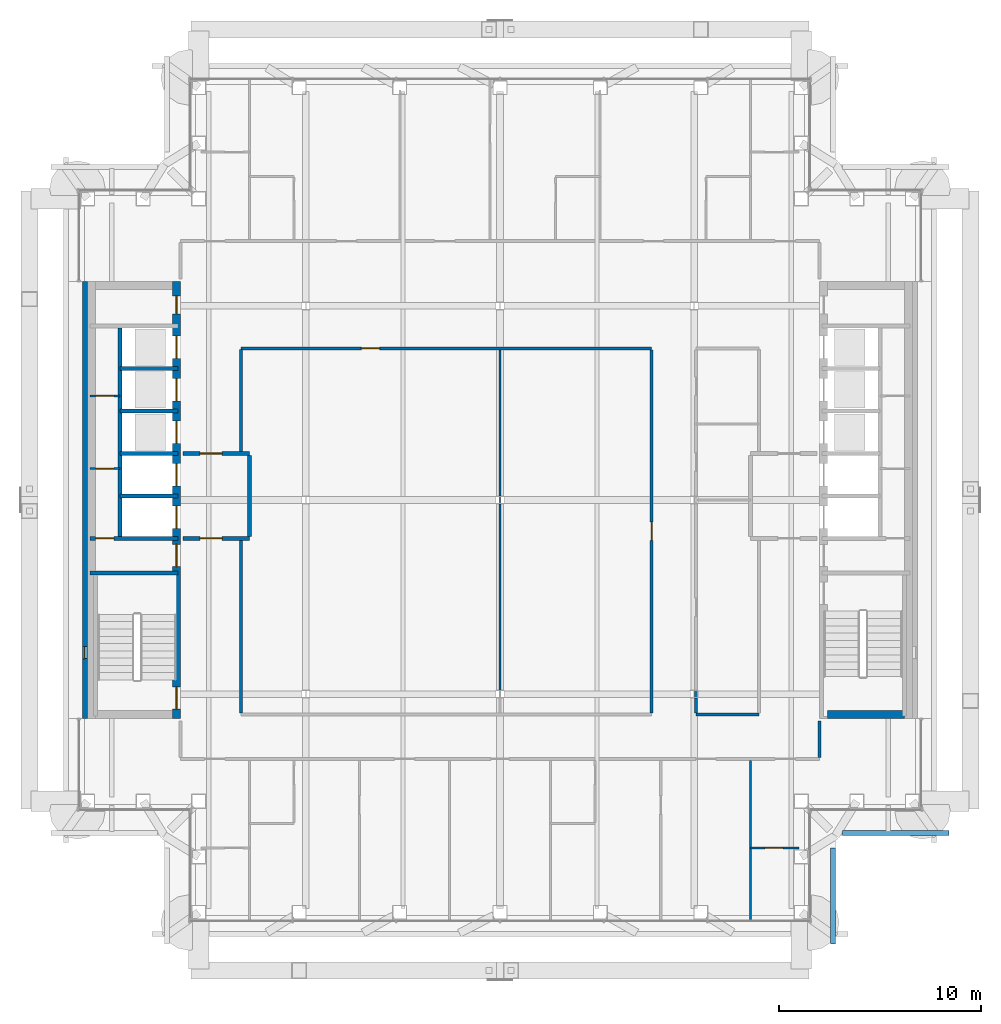
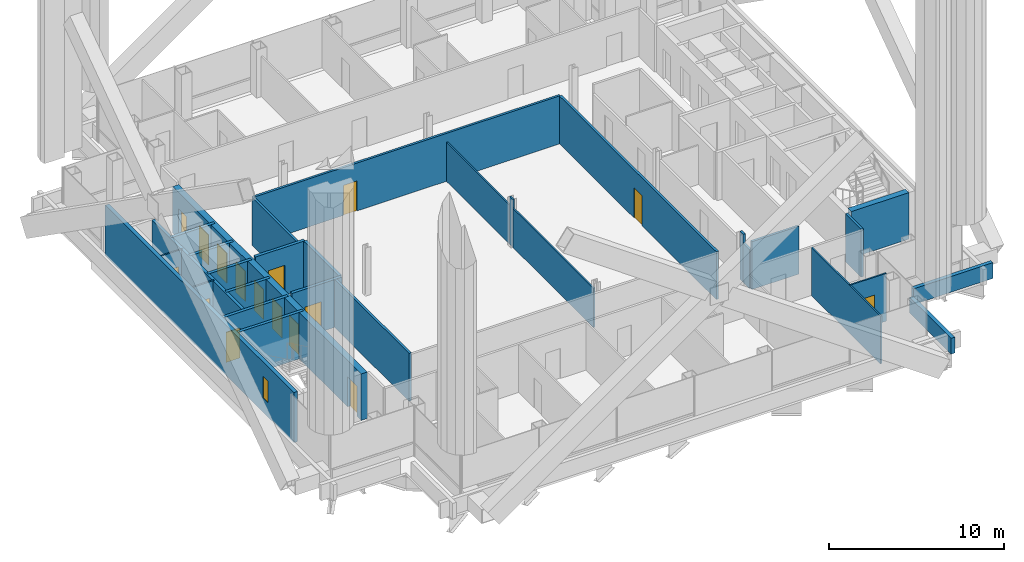
# One storey, part 14 of 22: 30 walls, 16 doors, 1 window, 17 openings.
"""IFC4 building model written with IfcOpenShell, lengths in metres."""

from ifc_helpers import new_model, si_unit, direction, frame, frame_2d, origin, place, context, subcontext, project, spatial, rectangle, extrude, material, layer, layer_set, type_object, element, fill, save


model = new_model("IFC4")

# Units and contexts
model_context = context("Model", 3, precision=1e-05, world=origin(), true_north=direction((0.0, 1.0)))
body_context = subcontext(model_context, "Body", "Model", "MODEL_VIEW")
ifc_project = project(units=[si_unit("LENGTHUNIT", "METRE"), si_unit("AREAUNIT", "SQUARE_METRE"), si_unit("VOLUMEUNIT", "CUBIC_METRE"), si_unit("PLANEANGLEUNIT", "RADIAN"), si_unit("MASSUNIT", "GRAM", prefix="KILO")], contexts=[model_context])

# Site, building, storey
site_placement = place(None, origin())
site = spatial("IfcSite", under=ifc_project, at=site_placement, CompositionType="ELEMENT")
building_placement = place(site_placement, origin())
building = spatial("IfcBuilding", under=site, at=building_placement, Name="Cobrizo Arcos Hotel Tower", CompositionType="ELEMENT")
storey_placement = place(building_placement, frame((0.0, 0.0, 191.0)))
storey = spatial("IfcBuildingStorey", under=building, at=storey_placement, Name="L49", CompositionType="ELEMENT", Elevation=191.0)

# Wall
ifc_material_1 = material(Name="Gypsum board partition")
ifc_layer_1 = layer(ifc_material_1, 0.14990234375)
ifc_layer_set_1 = layer_set([ifc_layer_1], Name="Corridor wall EI 60 150")
wall_type_1 = type_object("IfcWallType", Name="Corridor wall EI 60 150", PredefinedType="PARTITIONING", material=ifc_layer_set_1)
wall_1_placement = place(storey_placement, frame((9.699951171875, -10.60009765625, 0.0), z_axis=(0.0, 0.0, 1.0), x_axis=(1.0, 0.0, 0.0)))
element("IfcWall", 1, at=wall_1_placement, inside=storey, type_object=wall_type_1, Name="Partition 007", PredefinedType="PARTITIONING", context=body_context, shape_type="SweptSolid", body=[
    extrude(rectangle(XDim=3.10009765625, YDim=0.14990234375, at=frame_2d((1.550048828125, 0.0))), origin(), (0.0, 0.0, 1.0), 3.35009765625),
])

# Wall, opening, door
wall_2_placement = place(storey_placement, frame((-12.800048828125, 7.5, 0.0), z_axis=(0.0, 0.0, 1.0), x_axis=(1.0, 0.0, 0.0)))
wall_2 = element("IfcWall", 2, at=wall_2_placement, inside=storey, type_object=wall_type_1, Name="Partition 030", PredefinedType="PARTITIONING", context=body_context, shape_type="SweptSolid", body=[
    extrude(rectangle(XDim=20.300048828125, YDim=0.14990234375, at=frame_2d((10.14990234375, 0.0))), origin(), (0.0, 0.0, 1.0), 3.35009765625),
])
opening_1_placement = place(wall_2_placement, frame((5.949951171875, 0.0, 0.0)))
opening_1 = element("IfcOpeningElement", 3, at=opening_1_placement, cuts=wall_2, Name="Opening RD-15", PredefinedType="OPENING", context=body_context, shape_type="SweptSolid", body=[
    extrude(rectangle(XDim=0.89990234375, YDim=2.10009765625, at=frame_2d((0.449951171875, 1.050048828125))), frame((0.0, 0.0869140625, 0.0), z_axis=(0.0, -1.0, 0.0), x_axis=(1.0, 0.0, 0.0)), (0.0, 0.0, 1.0), 0.173828125),
])
ifc_material_2 = material(Name="Timber door leaf", Category="wood")
door_type_1 = type_object("IfcDoorType", Name="Room door FD30 900x2100", OperationType="SINGLE_SWING_LEFT", PredefinedType="DOOR", material=ifc_material_2)
door_1_placement = place(opening_1_placement, origin())
door_1 = element("IfcDoor", 4, at=door_1_placement, inside=storey, type_object=door_type_1, Name="Door RD-15", OperationType="SINGLE_SWING_RIGHT", OverallHeight=2.10009765625, OverallWidth=0.89990234375, PredefinedType="DOOR", context=body_context, shape_type="SweptSolid", body=[
    extrude(rectangle(XDim=0.89990234375, YDim=2.10009765625, at=frame_2d((0.449951171875, 1.050048828125))), frame((0.0, 0.02490234375, 0.0), z_axis=(0.0, -1.0, 0.0), x_axis=(1.0, 0.0, 0.0)), (0.0, 0.0, 1.0), 0.050048828125),
])
fill(opening_1, door_1)

# Walls
wall_3_placement = place(storey_placement, frame((-12.800048828125, -10.52490234375, 0.0), z_axis=(0.0, 0.0, 1.0), x_axis=(0.0, 1.0, 0.0)))
element("IfcWall", 5, at=wall_3_placement, inside=storey, type_object=wall_type_1, Name="Partition 044", PredefinedType="PARTITIONING", context=body_context, shape_type="SweptSolid", body=[
    extrude(rectangle(XDim=8.52490234375, YDim=0.14990234375, at=frame_2d((4.262451171875, 0.0))), origin(), (0.0, 0.0, 1.0), 3.35009765625),
])
wall_4_placement = place(storey_placement, frame((-12.800048828125, 2.39990234375, 0.0), z_axis=(0.0, 0.0, 1.0), x_axis=(0.0, 1.0, 0.0)))
element("IfcWall", 6, at=wall_4_placement, inside=storey, type_object=wall_type_1, Name="Partition 045", PredefinedType="PARTITIONING", context=body_context, shape_type="SweptSolid", body=[
    extrude(rectangle(XDim=5.050048828125, YDim=0.14990234375, at=frame_2d((2.52490234375, 0.0))), origin(), (0.0, 0.0, 1.0), 3.35009765625),
])

# Wall, opening, door
wall_5_placement = place(storey_placement, frame((7.5, -10.52490234375, 0.0), z_axis=(0.0, 0.0, 1.0), x_axis=(0.0, 1.0, 0.0)))
wall_5 = element("IfcWall", 7, at=wall_5_placement, inside=storey, type_object=wall_type_1, Name="Partition 064", PredefinedType="PARTITIONING", context=body_context, shape_type="SweptSolid", body=[
    extrude(rectangle(XDim=17.949951171875, YDim=0.14990234375, at=frame_2d((8.97509765625, 0.0))), origin(), (0.0, 0.0, 1.0), 3.35009765625),
])
opening_2_placement = place(wall_5_placement, frame((8.52490234375, 0.0, 0.0)))
opening_2 = element("IfcOpeningElement", 8, at=opening_2_placement, cuts=wall_5, Name="Opening RD-14", PredefinedType="OPENING", context=body_context, shape_type="SweptSolid", body=[
    extrude(rectangle(XDim=0.89990234375, YDim=2.10009765625, at=frame_2d((0.449951171875, 1.050048828125))), frame((0.0, 0.0869140625, 0.0), z_axis=(0.0, -1.0, 0.0), x_axis=(1.0, 0.0, 0.0)), (0.0, 0.0, 1.0), 0.173828125),
])
door_2_placement = place(opening_2_placement, origin())
door_2 = element("IfcDoor", 9, at=door_2_placement, inside=storey, type_object=door_type_1, Name="Door RD-14", OperationType="SINGLE_SWING_RIGHT", OverallHeight=2.10009765625, OverallWidth=0.89990234375, PredefinedType="DOOR", context=body_context, shape_type="SweptSolid", body=[
    extrude(rectangle(XDim=0.89990234375, YDim=2.10009765625, at=frame_2d((0.449951171875, 1.050048828125))), frame((0.0, 0.02490234375, 0.0), z_axis=(0.0, -1.0, 0.0), x_axis=(1.0, 0.0, 0.0)), (0.0, 0.0, 1.0), 0.050048828125),
])
fill(opening_2, door_2)

# Walls
wall_6_placement = place(storey_placement, frame((9.699951171875, -10.52490234375, 0.0), z_axis=(0.0, 0.0, 1.0), x_axis=(0.0, 1.0, 0.0)))
element("IfcWall", 10, at=wall_6_placement, inside=storey, type_object=wall_type_1, Name="Partition 066", PredefinedType="PARTITIONING", context=body_context, shape_type="SweptSolid", body=[
    extrude(rectangle(XDim=0.73779296875, YDim=0.14990234375, at=frame_2d((0.368896484375, 0.0))), origin(), (0.0, 0.0, 1.0), 2.72802734375),
])
wall_7_placement = place(storey_placement, frame((9.699951171875, -9.787109375, 0.0), z_axis=(0.0, 0.0, 1.0), x_axis=(0.0, 1.0, 0.0)))
element("IfcWall", 11, at=wall_7_placement, inside=storey, type_object=wall_type_1, Name="Partition 067", PredefinedType="PARTITIONING", context=body_context, shape_type="SweptSolid", body=[
    extrude(rectangle(XDim=0.3740234375, YDim=0.14990234375, at=frame_2d((0.18701171875, 0.0))), origin(), (0.0, 0.0, 1.0), 3.35009765625),
])
wall_8_placement = place(storey_placement, frame((15.800048828125, -12.72509765625, 0.0), z_axis=(0.0, 0.0, 1.0), x_axis=(0.0, 1.0, 0.0)))
element("IfcWall", 12, at=wall_8_placement, inside=storey, type_object=wall_type_1, Name="Partition 077", PredefinedType="PARTITIONING", context=body_context, shape_type="SweptSolid", body=[
    extrude(rectangle(XDim=1.80517578125, YDim=0.14990234375, at=frame_2d((0.902587890625, 0.0))), origin(), (0.0, 0.0, 1.0), 3.35009765625),
])

# Wall, opening, window
ifc_material_3 = material(Name="Aluminium composite panel pale metal", Category="aluminium")
ifc_layer_2 = layer(ifc_material_3, 0.25)
ifc_layer_set_2 = layer_set([ifc_layer_2], Name="EW-1 insulated panel wall 250")
wall_type_2 = type_object("IfcWallType", Name="EW-1 insulated panel wall 250", PredefinedType="SOLIDWALL", material=ifc_layer_set_2)
wall_9_placement = place(storey_placement, frame((-20.52490234375, 10.800048828125, 0.0), z_axis=(0.0, 0.0, 1.0), x_axis=(0.0, -1.0, 0.0)))
wall_9 = element("IfcWall", 13, at=wall_9_placement, inside=storey, type_object=wall_type_2, Name="Core face wall L49 W", PredefinedType="SOLIDWALL", context=body_context, shape_type="SweptSolid", body=[
    extrude(rectangle(XDim=21.60009765625, YDim=0.25, at=frame_2d((10.800048828125, 0.0))), origin(), (0.0, 0.0, 1.0), 3.5),
])
opening_3_placement = place(wall_9_placement, frame((18.050048828125, 0.0, 1.0)))
opening_3 = element("IfcOpeningElement", 14, at=opening_3_placement, cuts=wall_9, Name="Opening W-112", PredefinedType="OPENING", context=body_context, shape_type="SweptSolid", body=[
    extrude(rectangle(XDim=0.60009765625, YDim=1.5, at=frame_2d((0.300048828125, 0.75))), frame((0.0, 0.136962890625, 0.0), z_axis=(0.0, -1.0, 0.0), x_axis=(1.0, 0.0, 0.0)), (0.0, 0.0, 1.0), 0.27392578125),
])
ifc_material_4 = material(Name="Aluminium 6063-T6 and clear laminated glass", Category="aluminium")
window_type = type_object("IfcWindowType", Name="W-C1 core stair slot window 600x1500", PartitioningType="SINGLE_PANEL", PredefinedType="WINDOW", material=ifc_material_4)
window_placement = place(opening_3_placement, origin())
window = element("IfcWindow", 15, at=window_placement, inside=storey, type_object=window_type, Name="Core face wall L49 W window W-112", OverallHeight=1.5, OverallWidth=0.60009765625, PartitioningType="SINGLE_PANEL", PredefinedType="WINDOW", context=body_context, shape_type="SweptSolid", body=[
    extrude(rectangle(XDim=0.60009765625, YDim=1.5, at=frame_2d((0.300048828125, 0.75))), frame((0.0, -0.034912109375, 0.0), z_axis=(0.0, -1.0, 0.0), x_axis=(1.0, 0.0, 0.0)), (0.0, 0.0, 1.0), 0.06005859375),
])
fill(opening_3, window)

# Walls
ifc_layer_3 = layer(ifc_material_3, 0.25)
ifc_layer_set_3 = layer_set([ifc_layer_3], Name="PW-1 parapet wall")
wall_type_3 = type_object("IfcWallType", Name="PW-1 parapet wall", PredefinedType="PARAPET", material=ifc_layer_set_3)
wall_10_placement = place(storey_placement, frame((16.47509765625, -21.949951171875, 0.0), z_axis=(0.0, 0.0, 1.0), x_axis=(0.0, 1.0, 0.0)))
element("IfcWall", 16, at=wall_10_placement, inside=storey, type_object=wall_type_3, Name="Parapet L48 E", PredefinedType="PARAPET", context=body_context, shape_type="SweptSolid", body=[
    extrude(rectangle(XDim=4.75, YDim=0.25, at=frame_2d((2.375, 0.0))), origin(), (0.0, 0.0, 1.0), 1.10009765625),
])
wall_11_placement = place(storey_placement, frame((16.949951171875, -16.47509765625, 0.0), z_axis=(0.0, 0.0, 1.0), x_axis=(1.0, 0.0, 0.0)))
element("IfcWall", 17, at=wall_11_placement, inside=storey, type_object=wall_type_3, Name="Parapet L48 S", PredefinedType="PARAPET", context=body_context, shape_type="SweptSolid", body=[
    extrude(rectangle(XDim=5.25, YDim=0.25, at=frame_2d((2.625, 0.0))), origin(), (0.0, 0.0, 1.0), 1.10009765625),
])

# Wall, opening, door
ifc_layer_4 = layer(ifc_material_1, 0.10009765625)
ifc_layer_set_4 = layer_set([ifc_layer_4], Name="Partition EI 30 100")
wall_type_4 = type_object("IfcWallType", Name="Partition EI 30 100", PredefinedType="PARTITIONING", material=ifc_layer_set_4)
wall_12_placement = place(storey_placement, frame((12.39990234375, -17.199951171875, 0.0), z_axis=(0.0, 0.0, 1.0), x_axis=(1.0, 0.0, 0.0)))
wall_12 = element("IfcWall", 18, at=wall_12_placement, inside=storey, type_object=wall_type_4, Name="Partition 002", PredefinedType="PARTITIONING", context=body_context, shape_type="SweptSolid", body=[
    extrude(rectangle(XDim=2.380126953125, YDim=0.10009765625, at=frame_2d((1.18994140625, 0.0))), origin(), (0.0, 0.0, 1.0), 3.35009765625),
])
opening_4_placement = place(wall_12_placement, frame((0.705078125, 0.0, 0.0)))
opening_4 = element("IfcOpeningElement", 19, at=opening_4_placement, cuts=wall_12, Name="Opening ED-08", PredefinedType="OPENING", context=body_context, shape_type="SweptSolid", body=[
    extrude(rectangle(XDim=0.89990234375, YDim=2.10009765625, at=frame_2d((0.449951171875, 1.050048828125))), frame((0.0, 0.06201171875, 0.0), z_axis=(0.0, -1.0, 0.0), x_axis=(1.0, 0.0, 0.0)), (0.0, 0.0, 1.0), 0.1240234375),
])
door_type_2 = type_object("IfcDoorType", Name="En-suite door 900x2100", OperationType="SINGLE_SWING_LEFT", PredefinedType="DOOR", material=ifc_material_2)
door_3_placement = place(opening_4_placement, origin())
door_3 = element("IfcDoor", 20, at=door_3_placement, inside=storey, type_object=door_type_2, Name="Door ED-08", OperationType="SINGLE_SWING_RIGHT", OverallHeight=2.10009765625, OverallWidth=0.89990234375, PredefinedType="DOOR", context=body_context, shape_type="SweptSolid", body=[
    extrude(rectangle(XDim=0.89990234375, YDim=2.10009765625, at=frame_2d((0.449951171875, 1.050048828125))), frame((0.0, 0.02490234375, 0.0), z_axis=(0.0, -1.0, 0.0), x_axis=(1.0, 0.0, 0.0)), (0.0, 0.0, 1.0), 0.050048828125),
])
fill(opening_4, door_3)

wall_13_placement = place(storey_placement, frame((-20.280029296875, 1.550048828125, 0.0), z_axis=(0.0, 0.0, 1.0), x_axis=(1.0, 0.0, 0.0)))
wall_13 = element("IfcWall", 21, at=wall_13_placement, inside=storey, type_object=wall_type_4, Name="Partition 017", PredefinedType="PARTITIONING", context=body_context, shape_type="SweptSolid", body=[
    extrude(rectangle(XDim=1.47998046875, YDim=0.10009765625, at=frame_2d((0.739990234375, 0.0))), origin(), (0.0, 0.0, 1.0), 3.25),
])
opening_5_placement = place(wall_13_placement, frame((0.280029296875, 0.0, 0.0)))
opening_5 = element("IfcOpeningElement", 22, at=opening_5_placement, cuts=wall_13, Name="Opening RD-03", PredefinedType="OPENING", context=body_context, shape_type="SweptSolid", body=[
    extrude(rectangle(XDim=0.89990234375, YDim=2.10009765625, at=frame_2d((0.449951171875, 1.050048828125))), frame((0.0, 0.06201171875, 0.0), z_axis=(0.0, -1.0, 0.0), x_axis=(1.0, 0.0, 0.0)), (0.0, 0.0, 1.0), 0.1240234375),
])
door_4_placement = place(opening_5_placement, origin())
door_4 = element("IfcDoor", 23, at=door_4_placement, inside=storey, type_object=door_type_1, Name="Door RD-03", OperationType="SINGLE_SWING_LEFT", OverallHeight=2.10009765625, OverallWidth=0.89990234375, PredefinedType="DOOR", context=body_context, shape_type="SweptSolid", body=[
    extrude(rectangle(XDim=0.89990234375, YDim=2.10009765625, at=frame_2d((0.449951171875, 1.050048828125))), frame((0.0, 0.02490234375, 0.0), z_axis=(0.0, -1.0, 0.0), x_axis=(1.0, 0.0, 0.0)), (0.0, 0.0, 1.0), 0.050048828125),
])
fill(opening_5, door_4)

wall_14_placement = place(storey_placement, frame((-20.280029296875, 5.14990234375, 0.0), z_axis=(0.0, 0.0, 1.0), x_axis=(1.0, 0.0, 0.0)))
wall_14 = element("IfcWall", 24, at=wall_14_placement, inside=storey, type_object=wall_type_4, Name="Partition 026", PredefinedType="PARTITIONING", context=body_context, shape_type="SweptSolid", body=[
    extrude(rectangle(XDim=1.47998046875, YDim=0.10009765625, at=frame_2d((0.739990234375, 0.0))), origin(), (0.0, 0.0, 1.0), 3.25),
])
opening_6_placement = place(wall_14_placement, frame((0.280029296875, 0.0, 0.0)))
opening_6 = element("IfcOpeningElement", 25, at=opening_6_placement, cuts=wall_14, Name="Opening RD-04", PredefinedType="OPENING", context=body_context, shape_type="SweptSolid", body=[
    extrude(rectangle(XDim=0.89990234375, YDim=2.10009765625, at=frame_2d((0.449951171875, 1.050048828125))), frame((0.0, 0.06201171875, 0.0), z_axis=(0.0, -1.0, 0.0), x_axis=(1.0, 0.0, 0.0)), (0.0, 0.0, 1.0), 0.1240234375),
])
door_5_placement = place(opening_6_placement, origin())
door_5 = element("IfcDoor", 26, at=door_5_placement, inside=storey, type_object=door_type_1, Name="Door RD-04", OperationType="SINGLE_SWING_RIGHT", OverallHeight=2.10009765625, OverallWidth=0.89990234375, PredefinedType="DOOR", context=body_context, shape_type="SweptSolid", body=[
    extrude(rectangle(XDim=0.89990234375, YDim=2.10009765625, at=frame_2d((0.449951171875, 1.050048828125))), frame((0.0, 0.02490234375, 0.0), z_axis=(0.0, -1.0, 0.0), x_axis=(1.0, 0.0, 0.0)), (0.0, 0.0, 1.0), 0.050048828125),
])
fill(opening_6, door_5)

# Walls
wall_15_placement = place(storey_placement, frame((0.0, -9.4130859375, 0.0), z_axis=(0.0, 0.0, 1.0), x_axis=(0.0, 1.0, 0.0)))
element("IfcWall", 27, at=wall_15_placement, inside=storey, type_object=wall_type_4, Name="Partition 057", PredefinedType="PARTITIONING", context=body_context, shape_type="SweptSolid", body=[
    extrude(rectangle(XDim=9.22607421875, YDim=0.10009765625, at=frame_2d((4.613037109375, 0.0))), origin(), (0.0, 0.0, 1.0), 2.72802734375),
])
wall_16_placement = place(storey_placement, frame((0.0, -0.18701171875, 0.0), z_axis=(0.0, 0.0, 1.0), x_axis=(0.0, 1.0, 0.0)))
element("IfcWall", 28, at=wall_16_placement, inside=storey, type_object=wall_type_4, Name="Partition 058", PredefinedType="PARTITIONING", context=body_context, shape_type="SweptSolid", body=[
    extrude(rectangle(XDim=0.3740234375, YDim=0.10009765625, at=frame_2d((0.18701171875, 0.0))), origin(), (0.0, 0.0, 1.0), 3.35009765625),
])
wall_17_placement = place(storey_placement, frame((0.0, 0.18701171875, 0.0), z_axis=(0.0, 0.0, 1.0), x_axis=(0.0, 1.0, 0.0)))
element("IfcWall", 29, at=wall_17_placement, inside=storey, type_object=wall_type_4, Name="Partition 059", PredefinedType="PARTITIONING", context=body_context, shape_type="SweptSolid", body=[
    extrude(rectangle(XDim=7.238037109375, YDim=0.10009765625, at=frame_2d((3.619140625, 0.0))), origin(), (0.0, 0.0, 1.0), 2.72802734375),
])
wall_18_placement = place(storey_placement, frame((12.39990234375, -20.780029296875, 0.0), z_axis=(0.0, 0.0, 1.0), x_axis=(0.0, 1.0, 0.0)))
element("IfcWall", 30, at=wall_18_placement, inside=storey, type_object=wall_type_4, Name="Partition 072", PredefinedType="PARTITIONING", context=body_context, shape_type="SweptSolid", body=[
    extrude(rectangle(XDim=7.905029296875, YDim=0.10009765625, at=frame_2d((3.95263671875, 0.0))), origin(), (0.0, 0.0, 1.0), 3.35009765625),
])
ifc_material_5 = material(Name="Concrete f'c 40 MPa", Category="concrete")
ifc_layer_5 = layer(ifc_material_5, 0.39990234375)
ifc_layer_set_5 = layer_set([ifc_layer_5], Name="RC core wall 400 f'c 40")
wall_type_5 = type_object("IfcWallType", Name="RC core wall 400 f'c 40", PredefinedType="SHEAR", material=ifc_layer_set_5)
wall_19_placement = place(storey_placement, frame((16.199951171875, -10.60009765625, 0.0), z_axis=(0.0, 0.0, 1.0), x_axis=(1.0, 0.0, 0.0)))
element("IfcWall", 31, at=wall_19_placement, inside=storey, type_object=wall_type_5, Name="Core wall CW4, east core, south end, L49", PredefinedType="SHEAR", context=body_context, shape_type="SweptSolid", body=[
    extrude(rectangle(XDim=3.800048828125, YDim=0.39990234375, at=frame_2d((1.89990234375, 0.0))), origin(), (0.0, 0.0, 1.0), 3.25),
])

# Wall, openings, doors
wall_20_placement = place(storey_placement, frame((-16.0, -10.800048828125, 0.0), z_axis=(0.0, 0.0, 1.0), x_axis=(0.0, 1.0, 0.0)))
wall_20 = element("IfcWall", 32, at=wall_20_placement, inside=storey, type_object=wall_type_5, Name="Core wall CW4, west core, inner face, L49", PredefinedType="SHEAR", context=body_context, shape_type="SweptSolid", body=[
    extrude(rectangle(XDim=21.60009765625, YDim=0.39990234375, at=frame_2d((10.800048828125, 0.0))), origin(), (0.0, 0.0, 1.0), 3.25),
])
opening_7_placement = place(wall_20_placement, frame((9.39990234375, 0.0, 0.0)))
opening_7 = element("IfcOpeningElement", 33, at=opening_7_placement, cuts=wall_20, Name="Opening LD-01", PredefinedType="OPENING", context=body_context, shape_type="SweptSolid", body=[
    extrude(rectangle(XDim=1.10009765625, YDim=2.10009765625, at=frame_2d((0.550048828125, 1.050048828125))), frame((0.0, 0.2119140625, 0.0), z_axis=(0.0, -1.0, 0.0), x_axis=(1.0, 0.0, 0.0)), (0.0, 0.0, 1.0), 0.423828125),
])
opening_8_placement = place(wall_20_placement, frame((11.5, 0.0, 0.0)))
opening_8 = element("IfcOpeningElement", 34, at=opening_8_placement, cuts=wall_20, Name="Opening LD-02", PredefinedType="OPENING", context=body_context, shape_type="SweptSolid", body=[
    extrude(rectangle(XDim=1.10009765625, YDim=2.10009765625, at=frame_2d((0.550048828125, 1.050048828125))), frame((0.0, 0.2119140625, 0.0), z_axis=(0.0, -1.0, 0.0), x_axis=(1.0, 0.0, 0.0)), (0.0, 0.0, 1.0), 0.423828125),
])
opening_9_placement = place(wall_20_placement, frame((13.60009765625, 0.0, 0.0)))
opening_9 = element("IfcOpeningElement", 35, at=opening_9_placement, cuts=wall_20, Name="Opening LD-03", PredefinedType="OPENING", context=body_context, shape_type="SweptSolid", body=[
    extrude(rectangle(XDim=1.10009765625, YDim=2.10009765625, at=frame_2d((0.550048828125, 1.050048828125))), frame((0.0, 0.2119140625, 0.0), z_axis=(0.0, -1.0, 0.0), x_axis=(1.0, 0.0, 0.0)), (0.0, 0.0, 1.0), 0.423828125),
])
opening_10_placement = place(wall_20_placement, frame((15.699951171875, 0.0, 0.0)))
opening_10 = element("IfcOpeningElement", 36, at=opening_10_placement, cuts=wall_20, Name="Opening LD-04", PredefinedType="OPENING", context=body_context, shape_type="SweptSolid", body=[
    extrude(rectangle(XDim=1.10009765625, YDim=2.10009765625, at=frame_2d((0.550048828125, 1.050048828125))), frame((0.0, 0.2119140625, 0.0), z_axis=(0.0, -1.0, 0.0), x_axis=(1.0, 0.0, 0.0)), (0.0, 0.0, 1.0), 0.423828125),
])
opening_11_placement = place(wall_20_placement, frame((17.800048828125, 0.0, 0.0)))
opening_11 = element("IfcOpeningElement", 37, at=opening_11_placement, cuts=wall_20, Name="Opening LD-05", PredefinedType="OPENING", context=body_context, shape_type="SweptSolid", body=[
    extrude(rectangle(XDim=1.10009765625, YDim=2.10009765625, at=frame_2d((0.550048828125, 1.050048828125))), frame((0.0, 0.2119140625, 0.0), z_axis=(0.0, -1.0, 0.0), x_axis=(1.0, 0.0, 0.0)), (0.0, 0.0, 1.0), 0.423828125),
])
opening_12_placement = place(wall_20_placement, frame((0.4580078125, 0.0, 0.0)))
opening_12 = element("IfcOpeningElement", 38, at=opening_12_placement, cuts=wall_20, Name="Opening SD-01", PredefinedType="OPENING", context=body_context, shape_type="SweptSolid", body=[
    extrude(rectangle(XDim=1.10009765625, YDim=2.10009765625, at=frame_2d((0.550048828125, 1.050048828125))), frame((0.0, 0.2119140625, 0.0), z_axis=(0.0, -1.0, 0.0), x_axis=(1.0, 0.0, 0.0)), (0.0, 0.0, 1.0), 0.423828125),
])
opening_13_placement = place(wall_20_placement, frame((7.5, 0.0, 0.0)))
opening_13 = element("IfcOpeningElement", 39, at=opening_13_placement, cuts=wall_20, Name="Opening FD-01", PredefinedType="OPENING", context=body_context, shape_type="SweptSolid", body=[
    extrude(rectangle(XDim=1.10009765625, YDim=2.10009765625, at=frame_2d((0.550048828125, 1.050048828125))), frame((0.0, 0.2119140625, 0.0), z_axis=(0.0, -1.0, 0.0), x_axis=(1.0, 0.0, 0.0)), (0.0, 0.0, 1.0), 0.423828125),
])
opening_14_placement = place(wall_20_placement, frame((20.0, 0.0, 0.0)))
opening_14 = element("IfcOpeningElement", 40, at=opening_14_placement, cuts=wall_20, Name="Opening RD-01", PredefinedType="OPENING", context=body_context, shape_type="SweptSolid", body=[
    extrude(rectangle(XDim=0.89990234375, YDim=2.10009765625, at=frame_2d((0.449951171875, 1.050048828125))), frame((0.0, 0.2119140625, 0.0), z_axis=(0.0, -1.0, 0.0), x_axis=(1.0, 0.0, 0.0)), (0.0, 0.0, 1.0), 0.423828125),
])
ifc_material_6 = material(Name="Steel door leaf", Category="steel")
door_type_3 = type_object("IfcDoorType", Name="Fire door FD60 1100x2100", OperationType="SINGLE_SWING_LEFT", PredefinedType="DOOR", material=ifc_material_6)
door_6_placement = place(opening_13_placement, origin())
door_6 = element("IfcDoor", 41, at=door_6_placement, inside=storey, type_object=door_type_3, Name="Door FD-01", OperationType="SINGLE_SWING_RIGHT", OverallHeight=2.10009765625, OverallWidth=1.10009765625, PredefinedType="DOOR", context=body_context, shape_type="SweptSolid", body=[
    extrude(rectangle(XDim=1.10009765625, YDim=2.10009765625, at=frame_2d((0.550048828125, 1.050048828125))), frame((0.0, 0.02490234375, 0.0), z_axis=(0.0, -1.0, 0.0), x_axis=(1.0, 0.0, 0.0)), (0.0, 0.0, 1.0), 0.050048828125),
])
fill(opening_13, door_6)
door_type_4 = type_object("IfcDoorType", Name="Lift landing door 1100x2100", OperationType="SLIDING_TO_LEFT", PredefinedType="DOOR", material=ifc_material_6)
door_7_placement = place(opening_7_placement, origin())
door_7 = element("IfcDoor", 42, at=door_7_placement, inside=storey, type_object=door_type_4, Name="Lift landing door LD-01", OperationType="SLIDING_TO_LEFT", OverallHeight=2.10009765625, OverallWidth=1.10009765625, PredefinedType="DOOR", context=body_context, shape_type="SweptSolid", body=[
    extrude(rectangle(XDim=1.10009765625, YDim=2.10009765625, at=frame_2d((0.550048828125, 1.050048828125))), frame((0.0, 0.02490234375, 0.0), z_axis=(0.0, -1.0, 0.0), x_axis=(1.0, 0.0, 0.0)), (0.0, 0.0, 1.0), 0.050048828125),
])
fill(opening_7, door_7)
door_8_placement = place(opening_8_placement, origin())
door_8 = element("IfcDoor", 43, at=door_8_placement, inside=storey, type_object=door_type_4, Name="Lift landing door LD-02", OperationType="SLIDING_TO_LEFT", OverallHeight=2.10009765625, OverallWidth=1.10009765625, PredefinedType="DOOR", context=body_context, shape_type="SweptSolid", body=[
    extrude(rectangle(XDim=1.10009765625, YDim=2.10009765625, at=frame_2d((0.550048828125, 1.050048828125))), frame((0.0, 0.02490234375, 0.0), z_axis=(0.0, -1.0, 0.0), x_axis=(1.0, 0.0, 0.0)), (0.0, 0.0, 1.0), 0.050048828125),
])
fill(opening_8, door_8)
door_9_placement = place(opening_9_placement, origin())
door_9 = element("IfcDoor", 44, at=door_9_placement, inside=storey, type_object=door_type_4, Name="Lift landing door LD-03", OperationType="SLIDING_TO_LEFT", OverallHeight=2.10009765625, OverallWidth=1.10009765625, PredefinedType="DOOR", context=body_context, shape_type="SweptSolid", body=[
    extrude(rectangle(XDim=1.10009765625, YDim=2.10009765625, at=frame_2d((0.550048828125, 1.050048828125))), frame((0.0, 0.02490234375, 0.0), z_axis=(0.0, -1.0, 0.0), x_axis=(1.0, 0.0, 0.0)), (0.0, 0.0, 1.0), 0.050048828125),
])
fill(opening_9, door_9)
door_10_placement = place(opening_10_placement, origin())
door_10 = element("IfcDoor", 45, at=door_10_placement, inside=storey, type_object=door_type_4, Name="Lift landing door LD-04", OperationType="SLIDING_TO_LEFT", OverallHeight=2.10009765625, OverallWidth=1.10009765625, PredefinedType="DOOR", context=body_context, shape_type="SweptSolid", body=[
    extrude(rectangle(XDim=1.10009765625, YDim=2.10009765625, at=frame_2d((0.550048828125, 1.050048828125))), frame((0.0, 0.02490234375, 0.0), z_axis=(0.0, -1.0, 0.0), x_axis=(1.0, 0.0, 0.0)), (0.0, 0.0, 1.0), 0.050048828125),
])
fill(opening_10, door_10)
door_11_placement = place(opening_11_placement, origin())
door_11 = element("IfcDoor", 46, at=door_11_placement, inside=storey, type_object=door_type_4, Name="Lift landing door LD-05", OperationType="SLIDING_TO_LEFT", OverallHeight=2.10009765625, OverallWidth=1.10009765625, PredefinedType="DOOR", context=body_context, shape_type="SweptSolid", body=[
    extrude(rectangle(XDim=1.10009765625, YDim=2.10009765625, at=frame_2d((0.550048828125, 1.050048828125))), frame((0.0, 0.02490234375, 0.0), z_axis=(0.0, -1.0, 0.0), x_axis=(1.0, 0.0, 0.0)), (0.0, 0.0, 1.0), 0.050048828125),
])
fill(opening_11, door_11)
door_12_placement = place(opening_14_placement, origin())
door_12 = element("IfcDoor", 47, at=door_12_placement, inside=storey, type_object=door_type_1, Name="Door RD-01", OperationType="SINGLE_SWING_LEFT", OverallHeight=2.10009765625, OverallWidth=0.89990234375, PredefinedType="DOOR", context=body_context, shape_type="SweptSolid", body=[
    extrude(rectangle(XDim=0.89990234375, YDim=2.10009765625, at=frame_2d((0.449951171875, 1.050048828125))), frame((0.0, 0.02490234375, 0.0), z_axis=(0.0, -1.0, 0.0), x_axis=(1.0, 0.0, 0.0)), (0.0, 0.0, 1.0), 0.050048828125),
])
fill(opening_14, door_12)
door_type_5 = type_object("IfcDoorType", Name="Stair door FD60S 1100x2100", OperationType="SINGLE_SWING_LEFT", PredefinedType="DOOR", material=ifc_material_6)
door_13_placement = place(opening_12_placement, origin())
door_13 = element("IfcDoor", 48, at=door_13_placement, inside=storey, type_object=door_type_5, Name="Door SD-01", OperationType="SINGLE_SWING_LEFT", OverallHeight=2.10009765625, OverallWidth=1.10009765625, PredefinedType="DOOR", context=body_context, shape_type="SweptSolid", body=[
    extrude(rectangle(XDim=1.10009765625, YDim=2.10009765625, at=frame_2d((0.550048828125, 1.050048828125))), frame((0.0, 0.02490234375, 0.0), z_axis=(0.0, -1.0, 0.0), x_axis=(1.0, 0.0, 0.0)), (0.0, 0.0, 1.0), 0.050048828125),
])
fill(opening_12, door_13)

# Wall, opening, door
ifc_layer_6 = layer(ifc_material_1, 0.199951171875)
ifc_layer_set_6 = layer_set([ifc_layer_6], Name="Shaft wall EI 120 200")
wall_type_6 = type_object("IfcWallType", Name="Shaft wall EI 120 200", PredefinedType="PARTITIONING", material=ifc_layer_set_6)
wall_21_placement = place(storey_placement, frame((-20.280029296875, -1.89990234375, 0.0), z_axis=(0.0, 0.0, 1.0), x_axis=(1.0, 0.0, 0.0)))
wall_21 = element("IfcWall", 49, at=wall_21_placement, inside=storey, type_object=wall_type_6, Name="Partition 010", PredefinedType="PARTITIONING", context=body_context, shape_type="SweptSolid", body=[
    extrude(rectangle(XDim=4.360107421875, YDim=0.199951171875, at=frame_2d((2.18017578125, 0.0))), origin(), (0.0, 0.0, 1.0), 3.25),
])
opening_15_placement = place(wall_21_placement, frame((0.280029296875, 0.0, 0.0)))
opening_15 = element("IfcOpeningElement", 50, at=opening_15_placement, cuts=wall_21, Name="Opening RD-02", PredefinedType="OPENING", context=body_context, shape_type="SweptSolid", body=[
    extrude(rectangle(XDim=0.89990234375, YDim=2.10009765625, at=frame_2d((0.449951171875, 1.050048828125))), frame((0.0, 0.112060546875, 0.0), z_axis=(0.0, -1.0, 0.0), x_axis=(1.0, 0.0, 0.0)), (0.0, 0.0, 1.0), 0.223876953125),
])
door_14_placement = place(opening_15_placement, origin())
door_14 = element("IfcDoor", 51, at=door_14_placement, inside=storey, type_object=door_type_1, Name="Door RD-02", OperationType="SINGLE_SWING_RIGHT", OverallHeight=2.10009765625, OverallWidth=0.89990234375, PredefinedType="DOOR", context=body_context, shape_type="SweptSolid", body=[
    extrude(rectangle(XDim=0.89990234375, YDim=2.10009765625, at=frame_2d((0.449951171875, 1.050048828125))), frame((0.0, 0.02490234375, 0.0), z_axis=(0.0, -1.0, 0.0), x_axis=(1.0, 0.0, 0.0)), (0.0, 0.0, 1.0), 0.050048828125),
])
fill(opening_15, door_14)

wall_22_placement = place(storey_placement, frame((-15.679931640625, -1.89990234375, 0.0), z_axis=(0.0, 0.0, 1.0), x_axis=(1.0, 0.0, 0.0)))
wall_22 = element("IfcWall", 52, at=wall_22_placement, inside=storey, type_object=wall_type_6, Name="Partition 011", PredefinedType="PARTITIONING", context=body_context, shape_type="SweptSolid", body=[
    extrude(rectangle(XDim=3.280029296875, YDim=0.199951171875, at=frame_2d((1.64013671875, 0.0))), origin(), (0.0, 0.0, 1.0), 3.35009765625),
])
opening_16_placement = place(wall_22_placement, frame((0.840087890625, 0.0, 0.0)))
opening_16 = element("IfcOpeningElement", 53, at=opening_16_placement, cuts=wall_22, Name="Opening FD-03", PredefinedType="OPENING", context=body_context, shape_type="SweptSolid", body=[
    extrude(rectangle(XDim=1.10009765625, YDim=2.10009765625, at=frame_2d((0.550048828125, 1.050048828125))), frame((0.0, 0.112060546875, 0.0), z_axis=(0.0, -1.0, 0.0), x_axis=(1.0, 0.0, 0.0)), (0.0, 0.0, 1.0), 0.223876953125),
])
door_15_placement = place(opening_16_placement, origin())
door_15 = element("IfcDoor", 54, at=door_15_placement, inside=storey, type_object=door_type_3, Name="Door FD-03", OperationType="SINGLE_SWING_LEFT", OverallHeight=2.10009765625, OverallWidth=1.10009765625, PredefinedType="DOOR", context=body_context, shape_type="SweptSolid", body=[
    extrude(rectangle(XDim=1.10009765625, YDim=2.10009765625, at=frame_2d((0.550048828125, 1.050048828125))), frame((0.0, 0.02490234375, 0.0), z_axis=(0.0, -1.0, 0.0), x_axis=(1.0, 0.0, 0.0)), (0.0, 0.0, 1.0), 0.050048828125),
])
fill(opening_16, door_15)

# Walls
for number, where, z_axis, x_axis, name in (
    (55, (-18.800048828125, 0.199951171875, 0.0), (0.0, 0.0, 1.0), (1.0, 0.0, 0.0), "Partition 015"),
    (56, (-18.800048828125, 2.300048828125, 0.0), (0.0, 0.0, 1.0), (1.0, 0.0, 0.0), "Partition 019"),
):
    element("IfcWall", number, at=place(storey_placement, frame(where, z_axis=z_axis, x_axis=x_axis)), inside=storey, type_object=wall_type_6, Name=name, PredefinedType="PARTITIONING", context=body_context, shape_type="SweptSolid", body=[
        extrude(rectangle(XDim=2.880126953125, YDim=0.199951171875, at=frame_2d((1.43994140625, 0.0))), origin(), (0.0, 0.0, 1.0), 3.25),
    ])

# Wall, opening, door
wall_23_placement = place(storey_placement, frame((-15.679931640625, 2.300048828125, 0.0), z_axis=(0.0, 0.0, 1.0), x_axis=(1.0, 0.0, 0.0)))
wall_23 = element("IfcWall", 57, at=wall_23_placement, inside=storey, type_object=wall_type_6, Name="Partition 020", PredefinedType="PARTITIONING", context=body_context, shape_type="SweptSolid", body=[
    extrude(rectangle(XDim=3.280029296875, YDim=0.199951171875, at=frame_2d((1.64013671875, 0.0))), origin(), (0.0, 0.0, 1.0), 3.35009765625),
])
opening_17_placement = place(wall_23_placement, frame((0.840087890625, 0.0, 0.0)))
opening_17 = element("IfcOpeningElement", 58, at=opening_17_placement, cuts=wall_23, Name="Opening FD-02", PredefinedType="OPENING", context=body_context, shape_type="SweptSolid", body=[
    extrude(rectangle(XDim=1.10009765625, YDim=2.10009765625, at=frame_2d((0.550048828125, 1.050048828125))), frame((0.0, 0.112060546875, 0.0), z_axis=(0.0, -1.0, 0.0), x_axis=(1.0, 0.0, 0.0)), (0.0, 0.0, 1.0), 0.223876953125),
])
door_16_placement = place(opening_17_placement, origin())
door_16 = element("IfcDoor", 59, at=door_16_placement, inside=storey, type_object=door_type_3, Name="Door FD-02", OperationType="SINGLE_SWING_LEFT", OverallHeight=2.10009765625, OverallWidth=1.10009765625, PredefinedType="DOOR", context=body_context, shape_type="SweptSolid", body=[
    extrude(rectangle(XDim=1.10009765625, YDim=2.10009765625, at=frame_2d((0.550048828125, 1.050048828125))), frame((0.0, 0.02490234375, 0.0), z_axis=(0.0, -1.0, 0.0), x_axis=(1.0, 0.0, 0.0)), (0.0, 0.0, 1.0), 0.050048828125),
])
fill(opening_17, door_16)

# Walls
for number, where, z_axis, x_axis, name in (
    (60, (-18.800048828125, 4.39990234375, 0.0), (0.0, 0.0, 1.0), (1.0, 0.0, 0.0), "Partition 024"),
    (61, (-18.800048828125, 6.5, 0.0), (0.0, 0.0, 1.0), (1.0, 0.0, 0.0), "Partition 028"),
):
    element("IfcWall", number, at=place(storey_placement, frame(where, z_axis=z_axis, x_axis=x_axis)), inside=storey, type_object=wall_type_6, Name=name, PredefinedType="PARTITIONING", context=body_context, shape_type="SweptSolid", body=[
        extrude(rectangle(XDim=2.880126953125, YDim=0.199951171875, at=frame_2d((1.43994140625, 0.0))), origin(), (0.0, 0.0, 1.0), 3.25),
    ])
wall_24_placement = place(storey_placement, frame((-18.800048828125, -1.800048828125, 0.0), z_axis=(0.0, 0.0, 1.0), x_axis=(0.0, 1.0, 0.0)))
element("IfcWall", 62, at=wall_24_placement, inside=storey, type_object=wall_type_6, Name="Partition 041", PredefinedType="PARTITIONING", context=body_context, shape_type="SweptSolid", body=[
    extrude(rectangle(XDim=10.300048828125, YDim=0.199951171875, at=frame_2d((5.14990234375, 0.0))), origin(), (0.0, 0.0, 1.0), 3.25),
])
wall_25_placement = place(storey_placement, frame((-12.39990234375, -1.800048828125, 0.0), z_axis=(0.0, 0.0, 1.0), x_axis=(0.0, 1.0, 0.0)))
element("IfcWall", 63, at=wall_25_placement, inside=storey, type_object=wall_type_6, Name="Partition 047", PredefinedType="PARTITIONING", context=body_context, shape_type="SweptSolid", body=[
    extrude(rectangle(XDim=4.0, YDim=0.199951171875, at=frame_2d((2.0, 0.0))), origin(), (0.0, 0.0, 1.0), 3.35009765625),
])
ifc_layer_7 = layer(ifc_material_5, 0.199951171875)
ifc_layer_set_7 = layer_set([ifc_layer_7], Name="Stair shaft wall 200")
wall_type_7 = type_object("IfcWallType", Name="Stair shaft wall 200", PredefinedType="SHEAR", material=ifc_layer_set_7)
wall_26_placement = place(storey_placement, frame((-20.280029296875, -3.60009765625, 0.0), z_axis=(0.0, 0.0, 1.0), x_axis=(1.0, 0.0, 0.0)))
element("IfcWall", 64, at=wall_26_placement, inside=storey, type_object=wall_type_7, Name="Stair shaft wall W", PredefinedType="SHEAR", context=body_context, shape_type="SweptSolid", body=[
    extrude(rectangle(XDim=4.360107421875, YDim=0.199951171875, at=frame_2d((2.18017578125, 0.0))), origin(), (0.0, 0.0, 1.0), 3.25),
])

save(model, "model.ifc")
